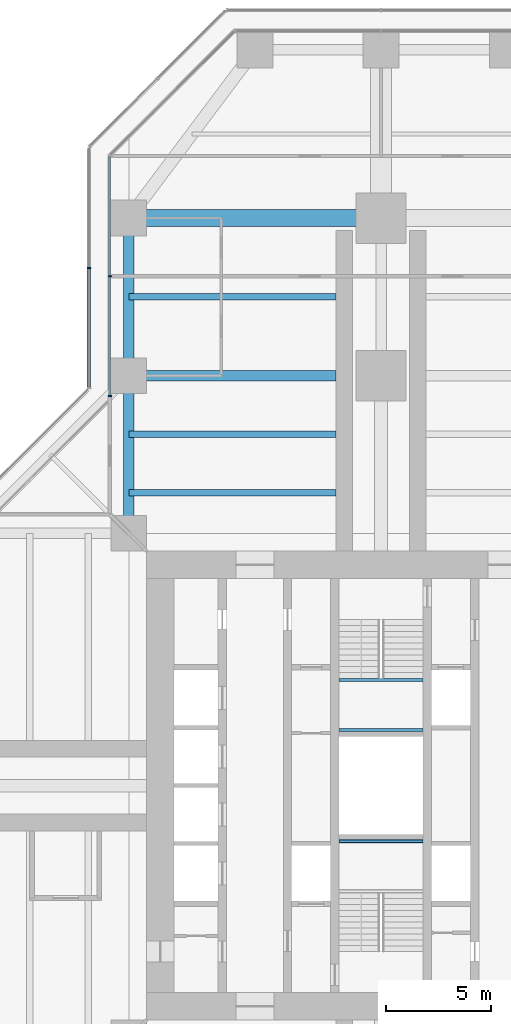
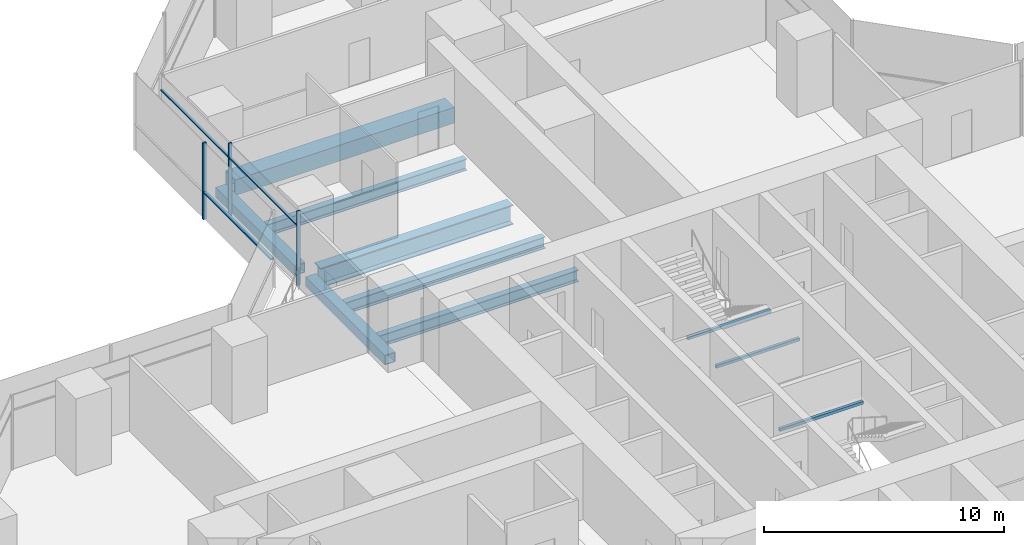
# One storey, part 9 of 22: 10 beams, 6 members, 2 elements without a shape of their own.
"""IFC4 building model written with IfcOpenShell, lengths in metres."""

from ifc_helpers import new_model, si_unit, direction, frame, origin, origin_2d, place, context, subcontext, project, spatial, rectangle, hollow_rectangle, i_section, extrude, material, material_profile, profile_set, type_object, element, aggregate, save


model = new_model("IFC4")

# Units and contexts
model_context = context("Model", 3, precision=1e-05, world=origin(), true_north=direction((0.0, 1.0)))
body_context = subcontext(model_context, "Body", "Model", "MODEL_VIEW")
ifc_project = project(units=[si_unit("LENGTHUNIT", "METRE"), si_unit("AREAUNIT", "SQUARE_METRE"), si_unit("VOLUMEUNIT", "CUBIC_METRE"), si_unit("PLANEANGLEUNIT", "RADIAN"), si_unit("MASSUNIT", "GRAM", prefix="KILO")], contexts=[model_context])

# Site, building, storey
site_placement = place(None, origin())
site = spatial("IfcSite", under=ifc_project, at=site_placement, CompositionType="ELEMENT")
building_placement = place(site_placement, origin())
building = spatial("IfcBuilding", under=site, at=building_placement, Name="Mizan Broadcast Tower", CompositionType="ELEMENT")
storey_placement = place(building_placement, frame((0.0, 0.0, 102.0)))
storey = spatial("IfcBuildingStorey", under=building, at=storey_placement, Name="L22", CompositionType="ELEMENT", Elevation=102.0)

# Beams
ifc_material_1 = material(Name="Steel S355", Category="steel")
ifc_material_profile_1 = material_profile(ifc_material_1, hollow_rectangle(XDim=0.5, YDim=0.5, WallThickness=0.030029296875, at=origin_2d()), Name="BOX 500x500x30")
ifc_profile_set_1 = profile_set([ifc_material_profile_1], Name="Steel S355")
beam_type_1 = type_object("IfcBeamType", Name="EDGE BEAM BOX 500x500x30", PredefinedType="SPANDREL", material=ifc_profile_set_1)
for number, where, z_axis, x_axis, name in (
    (1, (-12.0, 12.449951171875, -0.3798828125), (0.0, 1.0, 0.0), (-1.0, 0.0, 0.0), "Edge beam BOX 500x500x30 L22 north arm"),
    (2, (-12.0, 19.949951171875, -0.3798828125), (0.0, 1.0, 0.0), (-1.0, 0.0, 0.0), "Edge beam BOX 500x500x30 L22 north arm"),
):
    element("IfcBeam", number, at=place(storey_placement, frame(where, z_axis=z_axis, x_axis=x_axis)), inside=storey, type_object=beam_type_1, Name=name, PredefinedType="SPANDREL", context=body_context, shape_type="SweptSolid", body=[
        extrude(hollow_rectangle(XDim=0.5, YDim=0.5, WallThickness=0.030029296875, at=origin_2d()), origin(), (0.0, 0.0, 1.0), 6.60009765625),
    ])
ifc_material_2 = material(Name="Steel S460", Category="steel")
ifc_material_profile_2 = material_profile(ifc_material_2, hollow_rectangle(XDim=0.800048828125, YDim=0.800048828125, WallThickness=0.050048828125, at=origin_2d()), Name="BOX 800x800x50")
ifc_profile_set_2 = profile_set([ifc_material_profile_2], Name="Steel S460")
beam_type_2 = type_object("IfcBeamType", Name="GIRDER BOX 800x800x50", PredefinedType="BEAM", material=ifc_profile_set_2)
beam_1_placement = place(storey_placement, frame((-11.280029296875, 27.0, -0.530029296875), z_axis=(1.0, 0.0, 0.0), x_axis=(0.0, 1.0, 0.0)))
element("IfcBeam", 3, at=beam_1_placement, inside=storey, type_object=beam_type_2, Name="Girder BOX 800x800x50 L22 north arm", PredefinedType="BEAM", context=body_context, shape_type="SweptSolid", body=[
    extrude(hollow_rectangle(XDim=0.800048828125, YDim=0.800048828125, WallThickness=0.050048828125, at=origin_2d()), origin(), (0.0, 0.0, 1.0), 10.56005859375),
])
ifc_material_3 = material(Name="Steel S460", Category="steel")
ifc_material_profile_3 = material_profile(ifc_material_3, i_section(OverallWidth=0.5, OverallDepth=1.0, WebThickness=0.02490234375, FlangeThickness=0.050048828125, at=origin_2d()), Name="WPG 1000x500")
ifc_profile_set_3 = profile_set([ifc_material_profile_3], Name="Steel S460")
beam_type_3 = type_object("IfcBeamType", Name="GIRDER WPG 1000x500", PredefinedType="BEAM", material=ifc_profile_set_3)
beam_2_placement = place(storey_placement, frame((-11.408935546875, 19.5, -0.6298828125), z_axis=(1.0, 0.0, 0.0), x_axis=(0.0, 1.0, 0.0)))
element("IfcBeam", 4, at=beam_2_placement, inside=storey, type_object=beam_type_3, Name="Girder WPG 1000x500 L22 north arm", PredefinedType="BEAM", context=body_context, shape_type="SweptSolid", body=[
    extrude(i_section(OverallWidth=0.5, OverallDepth=1.0, WebThickness=0.02490234375, FlangeThickness=0.050048828125, at=origin_2d()), origin(), (0.0, 0.0, 1.0), 9.259033203125),
])

# Curtain wall, members
ifc_material_4 = material(Name="Aluminium framed glazing", Category="aluminium")
curtain_wall_type_1 = type_object("IfcCurtainWallType", Name="INNER SKIN LOW ZONE", PredefinedType="USERDEFINED", material=ifc_material_4)
curtain_wall_1_placement = place(storey_placement, origin())
curtain_wall_1 = element("IfcCurtainWall", 5, at=curtain_wall_1_placement, inside=storey, type_object=curtain_wall_type_1, Name="Inner skin low zone L22 N side", ObjectType="INNER SKIN LOW ZONE", PredefinedType="USERDEFINED")
ifc_material_5 = material(Name="Aluminium, pale anodised", Category="aluminium")
ifc_material_profile_4 = material_profile(ifc_material_5, rectangle(XDim=0.159912109375, YDim=0.06005859375, at=origin_2d()), Name="MULLION 160x60")
ifc_profile_set_4 = profile_set([ifc_material_profile_4], Name="Aluminium, pale anodised")
member_type_1 = type_object("IfcMemberType", Name="INNER SKIN MULLION 60x160", PredefinedType="MULLION", material=ifc_profile_set_4)
member_1_placement = place(storey_placement, frame((-12.89990234375, 24.229248046875, 0.0), z_axis=(0.0, 0.0, 1.0), x_axis=(1.0, 0.0, 0.0)))
member_1 = element("IfcMember", 6, at=member_1_placement, type_object=member_type_1, Name="Inner skin low zone L22 N side mullion 2", PredefinedType="MULLION", context=body_context, shape_type="SweptSolid", body=[
    extrude(rectangle(XDim=0.159912109375, YDim=0.06005859375, at=origin_2d()), origin(), (0.0, 0.0, 1.0), 3.77001953125),
])
member_2_placement = place(storey_placement, frame((-12.89990234375, 18.530029296875, 0.0), z_axis=(0.0, 0.0, 1.0), x_axis=(1.0, 0.0, 0.0)))
member_2 = element("IfcMember", 7, at=member_2_placement, type_object=member_type_1, Name="Inner skin low zone L22 N side mullion 3", PredefinedType="MULLION", context=body_context, shape_type="SweptSolid", body=[
    extrude(rectangle(XDim=0.159912109375, YDim=0.06005859375, at=origin_2d()), origin(), (0.0, 0.0, 1.0), 3.77001953125),
])
ifc_material_6 = material(Name="Aluminium, pale anodised", Category="aluminium")
ifc_material_profile_5 = material_profile(ifc_material_6, rectangle(XDim=0.1201171875, YDim=0.06005859375, at=origin_2d()), Name="TRANSOM 120x60")
ifc_profile_set_5 = profile_set([ifc_material_profile_5], Name="Aluminium, pale anodised")
member_type_2 = type_object("IfcMemberType", Name="INNER SKIN TRANSOM 60x120", PredefinedType="USERDEFINED", material=ifc_profile_set_5)
member_3_placement = place(storey_placement, frame((-12.89990234375, 29.898681640625, 3.030029296875), z_axis=(0.0, -1.0, 0.0), x_axis=(1.0, 0.0, 0.0)))
member_3 = element("IfcMember", 8, at=member_3_placement, type_object=member_type_2, Name="Inner skin low zone L22 N side transom 1.1", ObjectType="TRANSOM", PredefinedType="USERDEFINED", context=body_context, shape_type="SweptSolid", body=[
    extrude(rectangle(XDim=0.1201171875, YDim=0.06005859375, at=origin_2d()), origin(), (0.0, 0.0, 1.0), 5.639404296875),
])
member_4_placement = place(storey_placement, frame((-12.89990234375, 24.19921875, 3.030029296875), z_axis=(0.0, -1.0, 0.0), x_axis=(1.0, 0.0, 0.0)))
member_4 = element("IfcMember", 9, at=member_4_placement, type_object=member_type_2, Name="Inner skin low zone L22 N side transom 2.1", ObjectType="TRANSOM", PredefinedType="USERDEFINED", context=body_context, shape_type="SweptSolid", body=[
    extrude(rectangle(XDim=0.1201171875, YDim=0.06005859375, at=origin_2d()), origin(), (0.0, 0.0, 1.0), 5.63916015625),
])
aggregate(curtain_wall_1, [member_1, member_2, member_3, member_4])

# Beams
ifc_material_7 = material(Name="Steel S355", Category="steel")
ifc_material_profile_6 = material_profile(ifc_material_7, hollow_rectangle(XDim=0.14990234375, YDim=0.14990234375, WallThickness=0.008056640625, InnerFilletRadius=0.008056640625, OuterFilletRadius=0.011962890625, at=origin_2d()), Name="SHS 150x150x8")
ifc_profile_set_6 = profile_set([ifc_material_profile_6], Name="Steel S355")
beam_type_4 = type_object("IfcBeamType", Name="LANDING TRIMMER SHS 150x150x8", PredefinedType="BEAM", material=ifc_profile_set_6)
for number, where, z_axis, x_axis, name in (
    (10, (-2.0, -2.64990234375, 1.675048828125), (1.0, 0.0, 0.0), (0.0, 1.0, 0.0), "Stair A landing trimmer L22"),
    (11, (2.0, 5.02490234375, 1.675048828125), (-1.0, 0.0, 0.0), (0.0, -1.0, 0.0), "Stair B landing trimmer L22"),
    (12, (2.0, 2.64990234375, 1.675048828125), (-1.0, 0.0, 0.0), (0.0, -1.0, 0.0), "Stair B landing trimmer L22"),
):
    element("IfcBeam", number, at=place(storey_placement, frame(where, z_axis=z_axis, x_axis=x_axis)), inside=storey, type_object=beam_type_4, Name=name, PredefinedType="BEAM", context=body_context, shape_type="SweptSolid", body=[
        extrude(hollow_rectangle(XDim=0.14990234375, YDim=0.14990234375, WallThickness=0.008056640625, InnerFilletRadius=0.008056640625, OuterFilletRadius=0.011962890625, at=origin_2d()), origin(), (0.0, 0.0, 1.0), 4.0),
    ])

# Curtain wall, members
ifc_material_8 = material(Name="Aluminium framed glazing", Category="aluminium")
curtain_wall_type_2 = type_object("IfcCurtainWallType", Name="OUTER SKIN", PredefinedType="USERDEFINED", material=ifc_material_8)
curtain_wall_2_placement = place(storey_placement, origin())
curtain_wall_2 = element("IfcCurtainWall", 13, at=curtain_wall_2_placement, inside=storey, type_object=curtain_wall_type_2, Name="Outer skin L22 N side", ObjectType="OUTER SKIN", PredefinedType="USERDEFINED")
ifc_material_9 = material(Name="Aluminium, pale anodised", Category="aluminium")
ifc_material_profile_7 = material_profile(ifc_material_9, rectangle(XDim=0.159912109375, YDim=0.080078125, at=origin_2d()), Name="MULLION 160x80")
ifc_profile_set_7 = profile_set([ifc_material_profile_7], Name="Aluminium, pale anodised")
member_type_3 = type_object("IfcMemberType", Name="OUTER SKIN MULLION 80x160", PredefinedType="MULLION", material=ifc_profile_set_7)
member_5_placement = place(storey_placement, frame((-13.89990234375, 24.622802734375, 0.0), z_axis=(0.0, 0.0, 1.0), x_axis=(1.0, 0.0, 0.0)))
member_5 = element("IfcMember", 14, at=member_5_placement, type_object=member_type_3, Name="Outer skin L22 N side mullion 2", PredefinedType="MULLION", context=body_context, shape_type="SweptSolid", body=[
    extrude(rectangle(XDim=0.159912109375, YDim=0.080078125, at=origin_2d()), origin(), (0.0, 0.0, 1.0), 3.89990234375),
])
ifc_material_10 = material(Name="Aluminium, pale anodised", Category="aluminium")
ifc_material_profile_8 = material_profile(ifc_material_10, rectangle(XDim=0.159912109375, YDim=0.06005859375, at=origin_2d()), Name="TRANSOM 160x60")
ifc_profile_set_8 = profile_set([ifc_material_profile_8], Name="Aluminium, pale anodised")
member_type_4 = type_object("IfcMemberType", Name="OUTER SKIN TRANSOM 60x160", PredefinedType="USERDEFINED", material=ifc_profile_set_8)
member_6_placement = place(storey_placement, frame((-13.89990234375, 24.582763671875, 1.39990234375), z_axis=(0.0, -1.0, 0.0), x_axis=(1.0, 0.0, 0.0)))
member_6 = element("IfcMember", 15, at=member_6_placement, type_object=member_type_4, Name="Outer skin L22 N side transom 2.1", ObjectType="TRANSOM", PredefinedType="USERDEFINED", context=body_context, shape_type="SweptSolid", body=[
    extrude(rectangle(XDim=0.159912109375, YDim=0.06005859375, at=origin_2d()), origin(), (0.0, 0.0, 1.0), 5.6298828125),
])
aggregate(curtain_wall_2, [member_5, member_6])

# Beams
ifc_material_11 = material(Name="Steel S355", Category="steel")
ifc_material_profile_9 = material_profile(ifc_material_11, i_section(OverallWidth=0.300048828125, OverallDepth=0.590087890625, WebThickness=0.012939453125, FlangeThickness=0.02490234375, FilletRadius=0.027099609375, at=origin_2d()), Name="HEA 600")
ifc_profile_set_9 = profile_set([ifc_material_profile_9], Name="Steel S355")
beam_type_5 = type_object("IfcBeamType", Name="SECONDARY BEAM HEA 600", PredefinedType="JOIST", material=ifc_profile_set_9)
for number, where, z_axis, x_axis, name in (
    (16, (-12.0, 13.933349609375, -0.425048828125), (1.0, 0.0, 0.0), (0.0, 1.0, 0.0), "Secondary beam HEA 600 L22 north arm"),
    (17, (-12.0, 16.716552734375, -0.425048828125), (1.0, 0.0, 0.0), (0.0, 1.0, 0.0), "Secondary beam HEA 600 L22 north arm"),
    (18, (-12.0, 23.25, -0.425048828125), (1.0, 0.0, 0.0), (0.0, 1.0, 0.0), "Secondary beam HEA 600 L22 north arm"),
):
    element("IfcBeam", number, at=place(storey_placement, frame(where, z_axis=z_axis, x_axis=x_axis)), inside=storey, type_object=beam_type_5, Name=name, PredefinedType="JOIST", context=body_context, shape_type="SweptSolid", body=[
        extrude(i_section(OverallWidth=0.300048828125, OverallDepth=0.590087890625, WebThickness=0.012939453125, FlangeThickness=0.02490234375, FilletRadius=0.027099609375, at=origin_2d()), origin(), (0.0, 0.0, 1.0), 9.85009765625),
    ])

save(model, "model.ifc")
